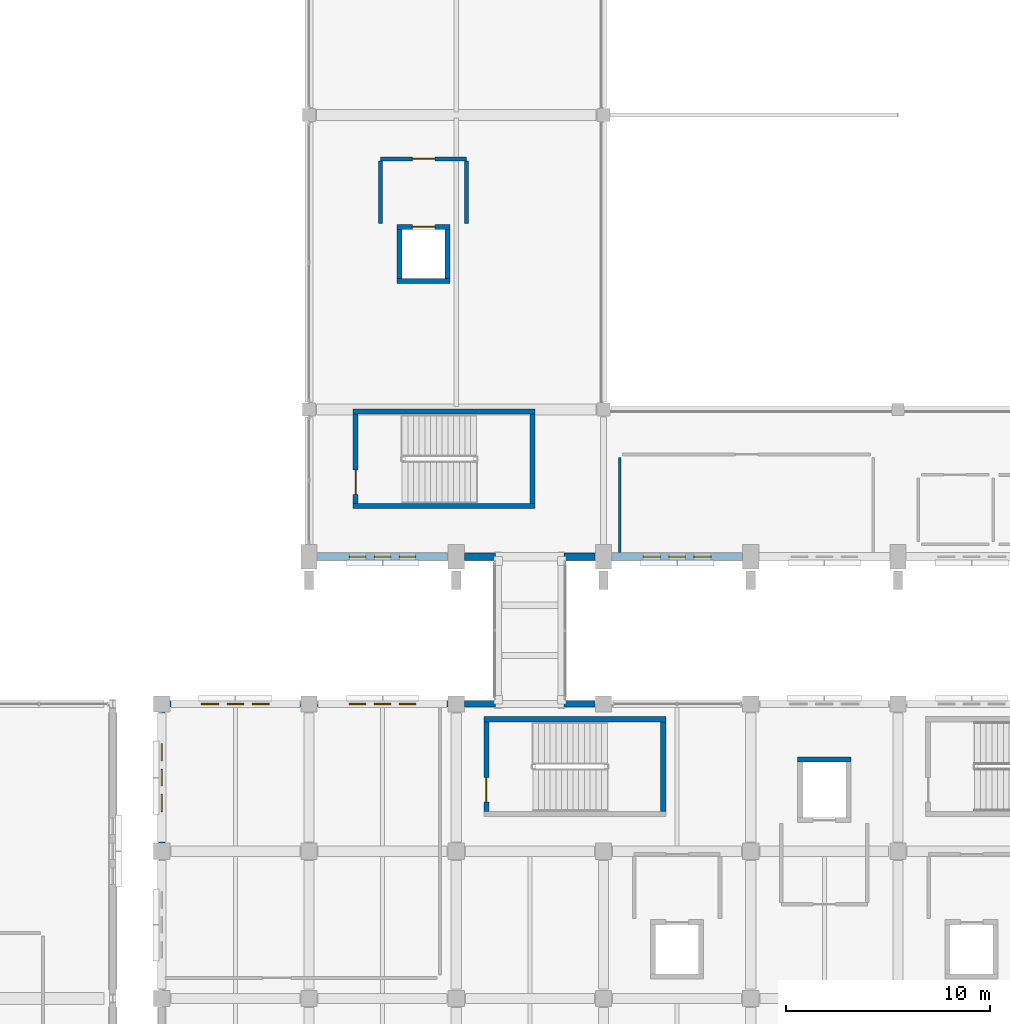
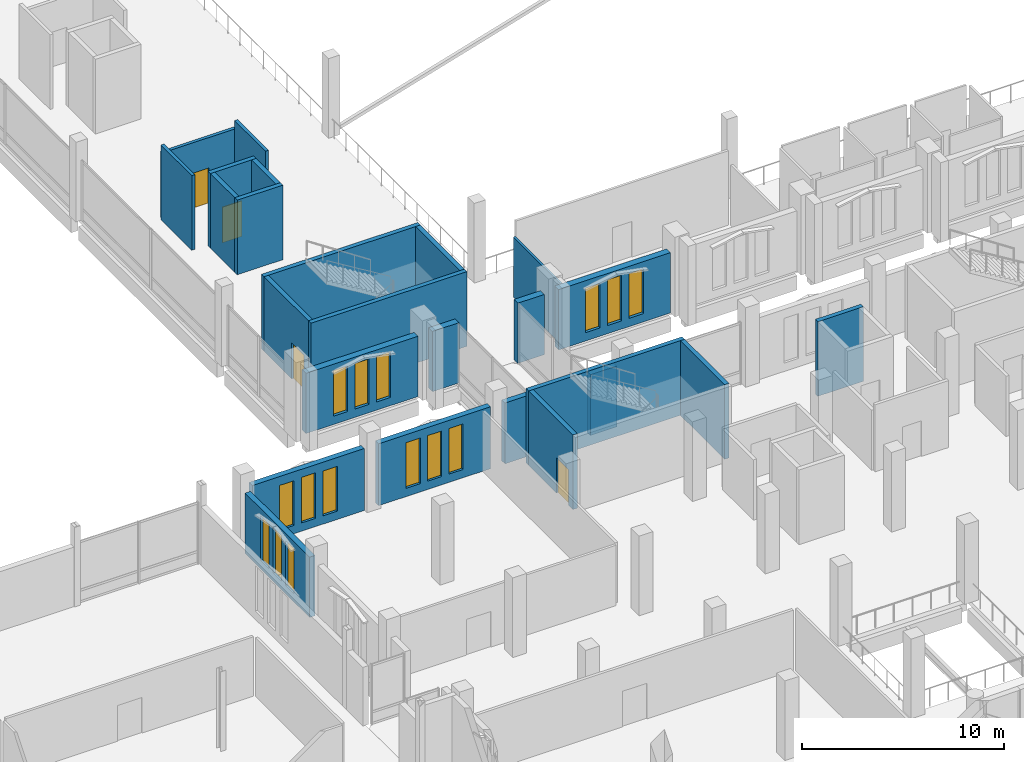
# One storey, part 160 of 220: 25 walls, 15 windows, 4 doors, 19 openings.
"""IFC4 building model written with IfcOpenShell, lengths in metres."""

from ifc_helpers import new_model, si_unit, direction, frame, frame_2d, origin, place, context, subcontext, project, spatial, rectangle, extrude, material, layer, layer_set, type_object, element, fill, save


model = new_model("IFC4")

# Units and contexts
model_context = context("Model", 3, precision=1e-05, world=origin(), true_north=direction((0.0, 1.0)))
body_context = subcontext(model_context, "Body", "Model", "MODEL_VIEW")
ifc_project = project(units=[si_unit("LENGTHUNIT", "METRE"), si_unit("AREAUNIT", "SQUARE_METRE"), si_unit("VOLUMEUNIT", "CUBIC_METRE"), si_unit("PLANEANGLEUNIT", "RADIAN"), si_unit("MASSUNIT", "GRAM", prefix="KILO")], contexts=[model_context])

# Site, building, storey
site_placement = place(None, origin())
site = spatial("IfcSite", under=ifc_project, at=site_placement, CompositionType="ELEMENT")
building_placement = place(site_placement, origin())
building = spatial("IfcBuilding", under=site, at=building_placement, Name="Cendralis Lancet Convention Centre", CompositionType="ELEMENT")
storey_placement = place(building_placement, frame((0.0, 0.0, 5.39990234375)))
storey = spatial("IfcBuildingStorey", under=building, at=storey_placement, Name="L01", CompositionType="ELEMENT", Elevation=5.39990234375)

# Wall, openings, windows
ifc_material_1 = material(Name="Buff sandstone ashlar and Concrete G40 (C40/50)", Category="masonry")
ifc_layer_1 = layer(ifc_material_1, 0.320068359375, Name="Buff sandstone ashlar and Concrete G40 (C40/50)")
ifc_layer_set_1 = layer_set([ifc_layer_1], Name="Buff sandstone ashlar and Concrete G40 (C40/50)")
wall_type_1 = type_object("IfcWallType", Name="ARC-EW-W320", PredefinedType="STANDARD", material=ifc_layer_set_1)
wall_1_placement = place(storey_placement, frame((132.407958984375, 36.0, 0.0), z_axis=(0.0, 0.0, 1.0), x_axis=(1.0, 0.0, 0.0)))
wall_1 = element("IfcWall", 1, at=wall_1_placement, inside=storey, type_object=wall_type_1, Name="L01 V5 Exterior Wall EW-06 #0264", PredefinedType="STANDARD", context=body_context, shape_type="SweptSolid", body=[
    extrude(rectangle(XDim=6.384033203125, YDim=0.320068359375, at=frame_2d((3.19189453125, 0.0))), origin(), (0.0, 0.0, 1.0), 3.735107421875),
])
opening_1_placement = place(wall_1_placement, frame((1.531982421875, 0.0, 0.5)))
opening_1 = element("IfcOpeningElement", 2, at=opening_1_placement, cuts=wall_1, Name="Opening WN-15", PredefinedType="OPENING", context=body_context, shape_type="SweptSolid", body=[
    extrude(rectangle(XDim=0.840087890625, YDim=2.699951171875, at=frame_2d((0.419921875, 1.35009765625))), frame((0.0, 0.169921875, 0.0), z_axis=(0.0, -1.0, 0.0), x_axis=(1.0, 0.0, 0.0)), (0.0, 0.0, 1.0), 0.340087890625),
])
opening_2_placement = place(wall_1_placement, frame((2.7919921875, 0.0, 0.5)))
opening_2 = element("IfcOpeningElement", 3, at=opening_2_placement, cuts=wall_1, Name="Opening WN-07", PredefinedType="OPENING", context=body_context, shape_type="SweptSolid", body=[
    extrude(rectangle(XDim=0.800048828125, YDim=2.75, at=frame_2d((0.39990234375, 1.375))), frame((0.0, 0.169921875, 0.0), z_axis=(0.0, -1.0, 0.0), x_axis=(1.0, 0.0, 0.0)), (0.0, 0.0, 1.0), 0.340087890625),
])
opening_3_placement = place(wall_1_placement, frame((4.011962890625, 0.0, 0.5)))
opening_3 = element("IfcOpeningElement", 4, at=opening_3_placement, cuts=wall_1, Name="Opening WN-15", PredefinedType="OPENING", context=body_context, shape_type="SweptSolid", body=[
    extrude(rectangle(XDim=0.840087890625, YDim=2.699951171875, at=frame_2d((0.419921875, 1.35009765625))), frame((0.0, 0.169921875, 0.0), z_axis=(0.0, -1.0, 0.0), x_axis=(1.0, 0.0, 0.0)), (0.0, 0.0, 1.0), 0.340087890625),
])
ifc_material_2 = material(Name="Double-glazed low-E solar-control glass", Category="glass")
window_type_1 = type_object("IfcWindowType", Name="ARC-WN-LW07", PartitioningType="SINGLE_PANEL", PredefinedType="WINDOW", material=ifc_material_2)
window_1_placement = place(opening_2_placement, origin())
window_1 = element("IfcWindow", 5, at=window_1_placement, inside=storey, type_object=window_type_1, Name="Gothic Lancet Window WN-07 #0503", OverallHeight=2.75, OverallWidth=0.800048828125, PartitioningType="SINGLE_PANEL", PredefinedType="WINDOW", context=body_context, shape_type="SweptSolid", body=[
    extrude(rectangle(XDim=0.800048828125, YDim=2.75, at=frame_2d((0.39990234375, 1.375))), frame((0.0, 0.030029296875, 0.0), z_axis=(0.0, -1.0, 0.0), x_axis=(1.0, 0.0, 0.0)), (0.0, 0.0, 1.0), 0.06005859375),
])
fill(opening_2, window_1)
window_type_2 = type_object("IfcWindowType", Name="ARC-WN-LW15", PartitioningType="SINGLE_PANEL", PredefinedType="WINDOW", material=ifc_material_2)
window_2_placement = place(opening_1_placement, origin())
window_2 = element("IfcWindow", 6, at=window_2_placement, inside=storey, type_object=window_type_2, Name="Gothic Lancet Window WN-15 #0502", OverallHeight=2.699951171875, OverallWidth=0.840087890625, PartitioningType="SINGLE_PANEL", PredefinedType="WINDOW", context=body_context, shape_type="SweptSolid", body=[
    extrude(rectangle(XDim=0.840087890625, YDim=2.699951171875, at=frame_2d((0.419921875, 1.35009765625))), frame((0.0, 0.030029296875, 0.0), z_axis=(0.0, -1.0, 0.0), x_axis=(1.0, 0.0, 0.0)), (0.0, 0.0, 1.0), 0.06005859375),
])
fill(opening_1, window_2)
window_3_placement = place(opening_3_placement, origin())
window_3 = element("IfcWindow", 7, at=window_3_placement, inside=storey, type_object=window_type_2, Name="Gothic Lancet Window WN-15 #0504", OverallHeight=2.699951171875, OverallWidth=0.840087890625, PartitioningType="SINGLE_PANEL", PredefinedType="WINDOW", context=body_context, shape_type="SweptSolid", body=[
    extrude(rectangle(XDim=0.840087890625, YDim=2.699951171875, at=frame_2d((0.419921875, 1.35009765625))), frame((0.0, 0.030029296875, 0.0), z_axis=(0.0, -1.0, 0.0), x_axis=(1.0, 0.0, 0.0)), (0.0, 0.0, 1.0), 0.06005859375),
])
fill(opening_3, window_3)

wall_2_placement = place(storey_placement, frame((139.60791015625, 36.0, 0.0), z_axis=(0.0, 0.0, 1.0), x_axis=(1.0, 0.0, 0.0)))
wall_2 = element("IfcWall", 8, at=wall_2_placement, inside=storey, type_object=wall_type_1, Name="L01 V5 Exterior Wall EW-06 #0265", PredefinedType="STANDARD", context=body_context, shape_type="SweptSolid", body=[
    extrude(rectangle(XDim=6.384033203125, YDim=0.320068359375, at=frame_2d((3.19189453125, 0.0))), origin(), (0.0, 0.0, 1.0), 3.735107421875),
])
opening_4_placement = place(wall_2_placement, frame((1.572021484375, 0.0, 0.5)))
opening_4 = element("IfcOpeningElement", 9, at=opening_4_placement, cuts=wall_2, Name="Opening WN-07", PredefinedType="OPENING", context=body_context, shape_type="SweptSolid", body=[
    extrude(rectangle(XDim=0.800048828125, YDim=2.75, at=frame_2d((0.39990234375, 1.375))), frame((0.0, 0.169921875, 0.0), z_axis=(0.0, -1.0, 0.0), x_axis=(1.0, 0.0, 0.0)), (0.0, 0.0, 1.0), 0.340087890625),
])
opening_5_placement = place(wall_2_placement, frame((2.7919921875, 0.0, 0.5)))
opening_5 = element("IfcOpeningElement", 10, at=opening_5_placement, cuts=wall_2, Name="Opening WN-07", PredefinedType="OPENING", context=body_context, shape_type="SweptSolid", body=[
    extrude(rectangle(XDim=0.800048828125, YDim=2.75, at=frame_2d((0.39990234375, 1.375))), frame((0.0, 0.169921875, 0.0), z_axis=(0.0, -1.0, 0.0), x_axis=(1.0, 0.0, 0.0)), (0.0, 0.0, 1.0), 0.340087890625),
])
opening_6_placement = place(wall_2_placement, frame((4.011962890625, 0.0, 0.5)))
opening_6 = element("IfcOpeningElement", 11, at=opening_6_placement, cuts=wall_2, Name="Opening WN-07", PredefinedType="OPENING", context=body_context, shape_type="SweptSolid", body=[
    extrude(rectangle(XDim=0.800048828125, YDim=2.75, at=frame_2d((0.39990234375, 1.375))), frame((0.0, 0.169921875, 0.0), z_axis=(0.0, -1.0, 0.0), x_axis=(1.0, 0.0, 0.0)), (0.0, 0.0, 1.0), 0.340087890625),
])
window_4_placement = place(opening_4_placement, origin())
window_4 = element("IfcWindow", 12, at=window_4_placement, inside=storey, type_object=window_type_1, Name="Gothic Lancet Window WN-07 #0505", OverallHeight=2.75, OverallWidth=0.800048828125, PartitioningType="SINGLE_PANEL", PredefinedType="WINDOW", context=body_context, shape_type="SweptSolid", body=[
    extrude(rectangle(XDim=0.800048828125, YDim=2.75, at=frame_2d((0.39990234375, 1.375))), frame((0.0, 0.030029296875, 0.0), z_axis=(0.0, -1.0, 0.0), x_axis=(1.0, 0.0, 0.0)), (0.0, 0.0, 1.0), 0.06005859375),
])
fill(opening_4, window_4)
window_5_placement = place(opening_5_placement, origin())
window_5 = element("IfcWindow", 13, at=window_5_placement, inside=storey, type_object=window_type_1, Name="Gothic Lancet Window WN-07 #0506", OverallHeight=2.75, OverallWidth=0.800048828125, PartitioningType="SINGLE_PANEL", PredefinedType="WINDOW", context=body_context, shape_type="SweptSolid", body=[
    extrude(rectangle(XDim=0.800048828125, YDim=2.75, at=frame_2d((0.39990234375, 1.375))), frame((0.0, 0.030029296875, 0.0), z_axis=(0.0, -1.0, 0.0), x_axis=(1.0, 0.0, 0.0)), (0.0, 0.0, 1.0), 0.06005859375),
])
fill(opening_5, window_5)
window_6_placement = place(opening_6_placement, origin())
window_6 = element("IfcWindow", 14, at=window_6_placement, inside=storey, type_object=window_type_1, Name="Gothic Lancet Window WN-07 #0507", OverallHeight=2.75, OverallWidth=0.800048828125, PartitioningType="SINGLE_PANEL", PredefinedType="WINDOW", context=body_context, shape_type="SweptSolid", body=[
    extrude(rectangle(XDim=0.800048828125, YDim=2.75, at=frame_2d((0.39990234375, 1.375))), frame((0.0, 0.030029296875, 0.0), z_axis=(0.0, -1.0, 0.0), x_axis=(1.0, 0.0, 0.0)), (0.0, 0.0, 1.0), 0.06005859375),
])
fill(opening_6, window_6)

# Walls
for number, where, z_axis, x_axis, name in (
    (15, (146.80810546875, 36.0, 0.0), (0.0, 0.0, 1.0), (1.0, 0.0, 0.0), "L01 V5 Exterior Wall EW-06 #0266"),
    (16, (151.679931640625, 36.0, 0.0), (0.0, 0.0, 1.0), (1.0, 0.0, 0.0), "L01 V5 Exterior Wall EW-06 #0267"),
):
    element("IfcWall", number, at=place(storey_placement, frame(where, z_axis=z_axis, x_axis=x_axis)), inside=storey, type_object=wall_type_1, Name=name, PredefinedType="STANDARD", context=body_context, shape_type="SweptSolid", body=[
        extrude(rectangle(XDim=1.511962890625, YDim=0.320068359375, at=frame_2d((0.755859375, 0.0))), origin(), (0.0, 0.0, 1.0), 3.6650390625),
    ])

# Wall, openings, windows
wall_3_placement = place(storey_placement, frame((132.0, 29.2080078125, 0.0), z_axis=(0.0, 0.0, 1.0), x_axis=(0.0, 1.0, 0.0)))
wall_3 = element("IfcWall", 17, at=wall_3_placement, inside=storey, type_object=wall_type_1, Name="L01 V5 Exterior Wall EW-06 #0282", PredefinedType="STANDARD", context=body_context, shape_type="SweptSolid", body=[
    extrude(rectangle(XDim=6.384033203125, YDim=0.320068359375, at=frame_2d((3.19189453125, 0.0))), origin(), (0.0, 0.0, 1.0), 3.635009765625),
])
opening_7_placement = place(wall_3_placement, frame((1.531982421875, 0.0, 0.5)))
opening_7 = element("IfcOpeningElement", 18, at=opening_7_placement, cuts=wall_3, Name="Opening WN-15", PredefinedType="OPENING", context=body_context, shape_type="SweptSolid", body=[
    extrude(rectangle(XDim=0.840087890625, YDim=2.699951171875, at=frame_2d((0.419921875, 1.35009765625))), frame((0.0, 0.169921875, 0.0), z_axis=(0.0, -1.0, 0.0), x_axis=(1.0, 0.0, 0.0)), (0.0, 0.0, 1.0), 0.340087890625),
])
opening_8_placement = place(wall_3_placement, frame((2.7919921875, 0.0, 0.5)))
opening_8 = element("IfcOpeningElement", 19, at=opening_8_placement, cuts=wall_3, Name="Opening WN-07", PredefinedType="OPENING", context=body_context, shape_type="SweptSolid", body=[
    extrude(rectangle(XDim=0.800048828125, YDim=2.75, at=frame_2d((0.39990234375, 1.375))), frame((0.0, 0.169921875, 0.0), z_axis=(0.0, -1.0, 0.0), x_axis=(1.0, 0.0, 0.0)), (0.0, 0.0, 1.0), 0.340087890625),
])
opening_9_placement = place(wall_3_placement, frame((4.011962890625, 0.0, 0.5)))
opening_9 = element("IfcOpeningElement", 20, at=opening_9_placement, cuts=wall_3, Name="Opening WN-15", PredefinedType="OPENING", context=body_context, shape_type="SweptSolid", body=[
    extrude(rectangle(XDim=0.840087890625, YDim=2.699951171875, at=frame_2d((0.419921875, 1.35009765625))), frame((0.0, 0.169921875, 0.0), z_axis=(0.0, -1.0, 0.0), x_axis=(1.0, 0.0, 0.0)), (0.0, 0.0, 1.0), 0.340087890625),
])
window_7_placement = place(opening_8_placement, origin())
window_7 = element("IfcWindow", 21, at=window_7_placement, inside=storey, type_object=window_type_1, Name="Gothic Lancet Window WN-07 #0542", OverallHeight=2.75, OverallWidth=0.800048828125, PartitioningType="SINGLE_PANEL", PredefinedType="WINDOW", context=body_context, shape_type="SweptSolid", body=[
    extrude(rectangle(XDim=0.800048828125, YDim=2.75, at=frame_2d((0.39990234375, 1.375))), frame((0.0, 0.030029296875, 0.0), z_axis=(0.0, -1.0, 0.0), x_axis=(1.0, 0.0, 0.0)), (0.0, 0.0, 1.0), 0.06005859375),
])
fill(opening_8, window_7)
window_8_placement = place(opening_7_placement, origin())
window_8 = element("IfcWindow", 22, at=window_8_placement, inside=storey, type_object=window_type_2, Name="Gothic Lancet Window WN-15 #0541", OverallHeight=2.699951171875, OverallWidth=0.840087890625, PartitioningType="SINGLE_PANEL", PredefinedType="WINDOW", context=body_context, shape_type="SweptSolid", body=[
    extrude(rectangle(XDim=0.840087890625, YDim=2.699951171875, at=frame_2d((0.419921875, 1.35009765625))), frame((0.0, 0.030029296875, 0.0), z_axis=(0.0, -1.0, 0.0), x_axis=(1.0, 0.0, 0.0)), (0.0, 0.0, 1.0), 0.06005859375),
])
fill(opening_7, window_8)
window_9_placement = place(opening_9_placement, origin())
window_9 = element("IfcWindow", 23, at=window_9_placement, inside=storey, type_object=window_type_2, Name="Gothic Lancet Window WN-15 #0543", OverallHeight=2.699951171875, OverallWidth=0.840087890625, PartitioningType="SINGLE_PANEL", PredefinedType="WINDOW", context=body_context, shape_type="SweptSolid", body=[
    extrude(rectangle(XDim=0.840087890625, YDim=2.699951171875, at=frame_2d((0.419921875, 1.35009765625))), frame((0.0, 0.030029296875, 0.0), z_axis=(0.0, -1.0, 0.0), x_axis=(1.0, 0.0, 0.0)), (0.0, 0.0, 1.0), 0.06005859375),
])
fill(opening_9, window_9)

ifc_layer_2 = layer(ifc_material_1, 0.3798828125, Name="Buff sandstone ashlar and Concrete G40 (C40/50)")
ifc_layer_set_2 = layer_set([ifc_layer_2], Name="Buff sandstone ashlar and Concrete G40 (C40/50)")
wall_type_2 = type_object("IfcWallType", Name="ARC-EW-W380", PredefinedType="STANDARD", material=ifc_layer_set_2)
wall_4_placement = place(storey_placement, frame((145.991943359375, 43.199951171875, 0.0), z_axis=(0.0, 0.0, 1.0), x_axis=(-1.0, 0.0, 0.0)))
wall_4 = element("IfcWall", 24, at=wall_4_placement, inside=storey, type_object=wall_type_2, Name="L01 V2 Exterior Wall EW-03 #0089", PredefinedType="STANDARD", context=body_context, shape_type="SweptSolid", body=[
    extrude(rectangle(XDim=6.384033203125, YDim=0.3798828125, at=frame_2d((3.19189453125, 0.0))), origin(), (0.0, 0.0, 1.0), 3.635009765625),
])
opening_10_placement = place(wall_4_placement, frame((1.572021484375, 0.0, 0.5)))
opening_10 = element("IfcOpeningElement", 25, at=opening_10_placement, cuts=wall_4, Name="Opening WN-07", PredefinedType="OPENING", context=body_context, shape_type="SweptSolid", body=[
    extrude(rectangle(XDim=0.800048828125, YDim=2.75, at=frame_2d((0.39990234375, 1.375))), frame((0.0, 0.199951171875, 0.0), z_axis=(0.0, -1.0, 0.0), x_axis=(1.0, 0.0, 0.0)), (0.0, 0.0, 1.0), 0.39990234375),
])
opening_11_placement = place(wall_4_placement, frame((2.7919921875, 0.0, 0.5)))
opening_11 = element("IfcOpeningElement", 26, at=opening_11_placement, cuts=wall_4, Name="Opening WN-07", PredefinedType="OPENING", context=body_context, shape_type="SweptSolid", body=[
    extrude(rectangle(XDim=0.800048828125, YDim=2.75, at=frame_2d((0.39990234375, 1.375))), frame((0.0, 0.199951171875, 0.0), z_axis=(0.0, -1.0, 0.0), x_axis=(1.0, 0.0, 0.0)), (0.0, 0.0, 1.0), 0.39990234375),
])
opening_12_placement = place(wall_4_placement, frame((4.011962890625, 0.0, 0.5)))
opening_12 = element("IfcOpeningElement", 27, at=opening_12_placement, cuts=wall_4, Name="Opening WN-07", PredefinedType="OPENING", context=body_context, shape_type="SweptSolid", body=[
    extrude(rectangle(XDim=0.800048828125, YDim=2.75, at=frame_2d((0.39990234375, 1.375))), frame((0.0, 0.199951171875, 0.0), z_axis=(0.0, -1.0, 0.0), x_axis=(1.0, 0.0, 0.0)), (0.0, 0.0, 1.0), 0.39990234375),
])
window_10_placement = place(opening_10_placement, origin())
window_10 = element("IfcWindow", 28, at=window_10_placement, inside=storey, type_object=window_type_1, Name="Gothic Lancet Window WN-07 #0150", OverallHeight=2.75, OverallWidth=0.800048828125, PartitioningType="SINGLE_PANEL", PredefinedType="WINDOW", context=body_context, shape_type="SweptSolid", body=[
    extrude(rectangle(XDim=0.800048828125, YDim=2.75, at=frame_2d((0.39990234375, 1.375))), frame((0.0, 0.030029296875, 0.0), z_axis=(0.0, -1.0, 0.0), x_axis=(1.0, 0.0, 0.0)), (0.0, 0.0, 1.0), 0.06005859375),
])
fill(opening_10, window_10)
window_11_placement = place(opening_11_placement, origin())
window_11 = element("IfcWindow", 29, at=window_11_placement, inside=storey, type_object=window_type_1, Name="Gothic Lancet Window WN-07 #0151", OverallHeight=2.75, OverallWidth=0.800048828125, PartitioningType="SINGLE_PANEL", PredefinedType="WINDOW", context=body_context, shape_type="SweptSolid", body=[
    extrude(rectangle(XDim=0.800048828125, YDim=2.75, at=frame_2d((0.39990234375, 1.375))), frame((0.0, 0.030029296875, 0.0), z_axis=(0.0, -1.0, 0.0), x_axis=(1.0, 0.0, 0.0)), (0.0, 0.0, 1.0), 0.06005859375),
])
fill(opening_11, window_11)
window_12_placement = place(opening_12_placement, origin())
window_12 = element("IfcWindow", 30, at=window_12_placement, inside=storey, type_object=window_type_1, Name="Gothic Lancet Window WN-07 #0152", OverallHeight=2.75, OverallWidth=0.800048828125, PartitioningType="SINGLE_PANEL", PredefinedType="WINDOW", context=body_context, shape_type="SweptSolid", body=[
    extrude(rectangle(XDim=0.800048828125, YDim=2.75, at=frame_2d((0.39990234375, 1.375))), frame((0.0, 0.030029296875, 0.0), z_axis=(0.0, -1.0, 0.0), x_axis=(1.0, 0.0, 0.0)), (0.0, 0.0, 1.0), 0.06005859375),
])
fill(opening_12, window_12)

# Walls
for number, where, z_axis, x_axis, name in (
    (31, (153.19189453125, 43.199951171875, 0.0), (0.0, 0.0, 1.0), (-1.0, 0.0, 0.0), "L01 V2 Exterior Wall EW-03 #0090"),
    (32, (148.320068359375, 43.199951171875, 0.0), (0.0, 0.0, 1.0), (-1.0, 0.0, 0.0), "L01 V2 Exterior Wall EW-03 #0091"),
):
    element("IfcWall", number, at=place(storey_placement, frame(where, z_axis=z_axis, x_axis=x_axis)), inside=storey, type_object=wall_type_2, Name=name, PredefinedType="STANDARD", context=body_context, shape_type="SweptSolid", body=[
        extrude(rectangle(XDim=1.511962890625, YDim=0.3798828125, at=frame_2d((0.755859375, 0.0))), origin(), (0.0, 0.0, 1.0), 3.635009765625),
    ])

# Wall, openings, windows
wall_5_placement = place(storey_placement, frame((160.39208984375, 43.199951171875, 0.0), z_axis=(0.0, 0.0, 1.0), x_axis=(-1.0, 0.0, 0.0)))
wall_5 = element("IfcWall", 33, at=wall_5_placement, inside=storey, type_object=wall_type_2, Name="L01 V2 Exterior Wall EW-03 #0092", PredefinedType="STANDARD", context=body_context, shape_type="SweptSolid", body=[
    extrude(rectangle(XDim=6.384033203125, YDim=0.3798828125, at=frame_2d((3.19189453125, 0.0))), origin(), (0.0, 0.0, 1.0), 3.635009765625),
])
opening_13_placement = place(wall_5_placement, frame((1.531982421875, 0.0, 0.5)))
opening_13 = element("IfcOpeningElement", 34, at=opening_13_placement, cuts=wall_5, Name="Opening WN-15", PredefinedType="OPENING", context=body_context, shape_type="SweptSolid", body=[
    extrude(rectangle(XDim=0.840087890625, YDim=2.699951171875, at=frame_2d((0.419921875, 1.35009765625))), frame((0.0, 0.199951171875, 0.0), z_axis=(0.0, -1.0, 0.0), x_axis=(1.0, 0.0, 0.0)), (0.0, 0.0, 1.0), 0.39990234375),
])
opening_14_placement = place(wall_5_placement, frame((2.7919921875, 0.0, 0.5)))
opening_14 = element("IfcOpeningElement", 35, at=opening_14_placement, cuts=wall_5, Name="Opening WN-07", PredefinedType="OPENING", context=body_context, shape_type="SweptSolid", body=[
    extrude(rectangle(XDim=0.800048828125, YDim=2.75, at=frame_2d((0.39990234375, 1.375))), frame((0.0, 0.199951171875, 0.0), z_axis=(0.0, -1.0, 0.0), x_axis=(1.0, 0.0, 0.0)), (0.0, 0.0, 1.0), 0.39990234375),
])
opening_15_placement = place(wall_5_placement, frame((4.011962890625, 0.0, 0.5)))
opening_15 = element("IfcOpeningElement", 36, at=opening_15_placement, cuts=wall_5, Name="Opening WN-15", PredefinedType="OPENING", context=body_context, shape_type="SweptSolid", body=[
    extrude(rectangle(XDim=0.840087890625, YDim=2.699951171875, at=frame_2d((0.419921875, 1.35009765625))), frame((0.0, 0.199951171875, 0.0), z_axis=(0.0, -1.0, 0.0), x_axis=(1.0, 0.0, 0.0)), (0.0, 0.0, 1.0), 0.39990234375),
])
window_13_placement = place(opening_14_placement, origin())
window_13 = element("IfcWindow", 37, at=window_13_placement, inside=storey, type_object=window_type_1, Name="Gothic Lancet Window WN-07 #0154", OverallHeight=2.75, OverallWidth=0.800048828125, PartitioningType="SINGLE_PANEL", PredefinedType="WINDOW", context=body_context, shape_type="SweptSolid", body=[
    extrude(rectangle(XDim=0.800048828125, YDim=2.75, at=frame_2d((0.39990234375, 1.375))), frame((0.0, 0.030029296875, 0.0), z_axis=(0.0, -1.0, 0.0), x_axis=(1.0, 0.0, 0.0)), (0.0, 0.0, 1.0), 0.06005859375),
])
fill(opening_14, window_13)
window_14_placement = place(opening_13_placement, origin())
window_14 = element("IfcWindow", 38, at=window_14_placement, inside=storey, type_object=window_type_2, Name="Gothic Lancet Window WN-15 #0153", OverallHeight=2.699951171875, OverallWidth=0.840087890625, PartitioningType="SINGLE_PANEL", PredefinedType="WINDOW", context=body_context, shape_type="SweptSolid", body=[
    extrude(rectangle(XDim=0.840087890625, YDim=2.699951171875, at=frame_2d((0.419921875, 1.35009765625))), frame((0.0, 0.030029296875, 0.0), z_axis=(0.0, -1.0, 0.0), x_axis=(1.0, 0.0, 0.0)), (0.0, 0.0, 1.0), 0.06005859375),
])
fill(opening_13, window_14)
window_15_placement = place(opening_15_placement, origin())
window_15 = element("IfcWindow", 39, at=window_15_placement, inside=storey, type_object=window_type_2, Name="Gothic Lancet Window WN-15 #0155", OverallHeight=2.699951171875, OverallWidth=0.840087890625, PartitioningType="SINGLE_PANEL", PredefinedType="WINDOW", context=body_context, shape_type="SweptSolid", body=[
    extrude(rectangle(XDim=0.840087890625, YDim=2.699951171875, at=frame_2d((0.419921875, 1.35009765625))), frame((0.0, 0.030029296875, 0.0), z_axis=(0.0, -1.0, 0.0), x_axis=(1.0, 0.0, 0.0)), (0.0, 0.0, 1.0), 0.06005859375),
])
fill(opening_15, window_15)

# Wall
ifc_material_3 = material(Name="Acoustic fire-rated gypsum board on steel studs", Category="steel")
ifc_layer_3 = layer(ifc_material_3, 0.1201171875, Name="Acoustic fire-rated gypsum board on steel studs")
ifc_layer_set_3 = layer_set([ifc_layer_3], Name="Acoustic fire-rated gypsum board on steel studs")
wall_type_3 = type_object("IfcWallType", Name="ARC-IW-P120", PredefinedType="PARTITIONING", material=ifc_layer_set_3)
wall_6_placement = place(storey_placement, frame((154.39990234375, 43.39990234375, 0.0), z_axis=(0.0, 0.0, 1.0), x_axis=(0.0, 1.0, 0.0)))
element("IfcWall", 40, at=wall_6_placement, inside=storey, type_object=wall_type_3, Name="L01 Interior Partition IW-05 #0080", PredefinedType="PARTITIONING", context=body_context, shape_type="SweptSolid", body=[
    extrude(rectangle(XDim=4.66015625, YDim=0.1201171875, at=frame_2d((2.330078125, 0.0))), origin(), (0.0, 0.0, 1.0), 3.635009765625),
])

# Wall, opening, door
ifc_layer_4 = layer(ifc_material_3, 0.179931640625, Name="Acoustic fire-rated gypsum board on steel studs")
ifc_layer_set_4 = layer_set([ifc_layer_4], Name="Acoustic fire-rated gypsum board on steel studs")
wall_type_4 = type_object("IfcWallType", Name="ARC-IW-P180", PredefinedType="PARTITIONING", material=ifc_layer_set_4)
wall_7_placement = place(storey_placement, frame((142.699951171875, 62.64990234375, 0.0), z_axis=(0.0, 0.0, 1.0), x_axis=(1.0, 0.0, 0.0)))
wall_7 = element("IfcWall", 41, at=wall_7_placement, inside=storey, type_object=wall_type_4, Name="L01 Lift Lobby LP-05 Front Wall", PredefinedType="PARTITIONING", context=body_context, shape_type="SweptSolid", body=[
    extrude(rectangle(XDim=4.199951171875, YDim=0.179931640625, at=frame_2d((2.10009765625, 0.0))), origin(), (0.0, 0.0, 1.0), 3.985107421875),
])
opening_16_placement = place(wall_7_placement, frame((1.550048828125, 0.0, 0.0)))
opening_16 = element("IfcOpeningElement", 42, at=opening_16_placement, cuts=wall_7, Name="Opening FD-11", PredefinedType="OPENING", context=body_context, shape_type="SweptSolid", body=[
    extrude(rectangle(XDim=1.10009765625, YDim=2.14990234375, at=frame_2d((0.550048828125, 1.074951171875))), frame((0.0, 0.099853515625, 0.0), z_axis=(0.0, -1.0, 0.0), x_axis=(1.0, 0.0, 0.0)), (0.0, 0.0, 1.0), 0.199951171875),
])
ifc_material_4 = material(Name="Steel S355", Category="steel")
door_type_1 = type_object("IfcDoorType", Name="ARC-DR-FF11", OperationType="NOTDEFINED", PredefinedType="DOOR", material=ifc_material_4)
door_1_placement = place(opening_16_placement, origin())
door_1 = element("IfcDoor", 43, at=door_1_placement, inside=storey, type_object=door_type_1, Name="L01-D064 L01 Lift Lobby LP-05 Fire Door", OperationType="SINGLE_SWING_LEFT", OverallHeight=2.14990234375, OverallWidth=1.10009765625, PredefinedType="DOOR", context=body_context, shape_type="SweptSolid", body=[
    extrude(rectangle(XDim=1.10009765625, YDim=2.14990234375, at=frame_2d((0.550048828125, 1.074951171875))), frame((0.0, 0.02490234375, 0.0), z_axis=(0.0, -1.0, 0.0), x_axis=(1.0, 0.0, 0.0)), (0.0, 0.0, 1.0), 0.050048828125),
])
fill(opening_16, door_1)

# Walls
for number, where, z_axis, x_axis, name in (
    (44, (142.699951171875, 59.5, 0.0), (0.0, 0.0, 1.0), (0.0, 1.0, 0.0), "L01 Lift Lobby LP-05 West Wall"),
    (45, (146.89990234375, 59.5, 0.0), (0.0, 0.0, 1.0), (0.0, 1.0, 0.0), "L01 Lift Lobby LP-05 East Wall"),
):
    element("IfcWall", number, at=place(storey_placement, frame(where, z_axis=z_axis, x_axis=x_axis)), inside=storey, type_object=wall_type_4, Name=name, PredefinedType="PARTITIONING", context=body_context, shape_type="SweptSolid", body=[
        extrude(rectangle(XDim=3.050048828125, YDim=0.179931640625, at=frame_2d((1.52490234375, 0.0))), origin(), (0.0, 0.0, 1.0), 4.5),
    ])

# Wall, opening, door
ifc_material_5 = material(Name="Concrete G40 (C40/50)", Category="concrete")
ifc_layer_5 = layer(ifc_material_5, 0.25, Name="Concrete G40 (C40/50)")
ifc_layer_set_5 = layer_set([ifc_layer_5], Name="Concrete G40 (C40/50)")
wall_type_5 = type_object("IfcWallType", Name="STR-SW-CW250", PredefinedType="SHEAR", material=ifc_layer_set_5)
wall_8_placement = place(storey_placement, frame((141.47509765625, 45.800048828125, 0.0), z_axis=(0.0, 0.0, 1.0), x_axis=(0.0, 1.0, 0.0)))
wall_8 = element("IfcWall", 46, at=wall_8_placement, inside=storey, type_object=wall_type_5, Name="L01 Stair Core ST-08 West Shear Wall", PredefinedType="SHEAR", context=body_context, shape_type="SweptSolid", body=[
    extrude(rectangle(XDim=4.3798828125, YDim=0.25, at=frame_2d((2.18994140625, 0.0))), origin(), (0.0, 0.0, 1.0), 4.5),
])
opening_17_placement = place(wall_8_placement, frame((0.449951171875, 0.0, 0.0)))
opening_17 = element("IfcOpeningElement", 47, at=opening_17_placement, cuts=wall_8, Name="Opening SD-12", PredefinedType="OPENING", context=body_context, shape_type="SweptSolid", body=[
    extrude(rectangle(XDim=1.199951171875, YDim=2.14990234375, at=frame_2d((0.60009765625, 1.074951171875))), frame((0.0, 0.135009765625, 0.0), z_axis=(0.0, -1.0, 0.0), x_axis=(1.0, 0.0, 0.0)), (0.0, 0.0, 1.0), 0.27001953125),
])
door_type_2 = type_object("IfcDoorType", Name="ARC-DR-ST12", OperationType="NOTDEFINED", PredefinedType="DOOR", material=ifc_material_4)
door_2_placement = place(opening_17_placement, frame((1.199951171875, 0.0, 0.0), z_axis=(0.0, 0.0, 1.0), x_axis=(-1.0, 0.0, 0.0)))
door_2 = element("IfcDoor", 48, at=door_2_placement, inside=storey, type_object=door_type_2, Name="L01-D075 L01 Exit Stair ST-08 Fire Door", OperationType="SINGLE_SWING_RIGHT", OverallHeight=2.14990234375, OverallWidth=1.199951171875, PredefinedType="DOOR", context=body_context, shape_type="SweptSolid", body=[
    extrude(rectangle(XDim=1.199951171875, YDim=2.14990234375, at=frame_2d((0.60009765625, 1.074951171875))), frame((0.0, 0.02490234375, 0.0), z_axis=(0.0, -1.0, 0.0), x_axis=(1.0, 0.0, 0.0)), (0.0, 0.0, 1.0), 0.050048828125),
])
fill(opening_17, door_2)

# Walls
wall_9_placement = place(storey_placement, frame((150.125, 45.800048828125, 0.0), z_axis=(0.0, 0.0, 1.0), x_axis=(0.0, 1.0, 0.0)))
element("IfcWall", 49, at=wall_9_placement, inside=storey, type_object=wall_type_5, Name="L01 Stair Core ST-08 East Shear Wall", PredefinedType="SHEAR", context=body_context, shape_type="SweptSolid", body=[
    extrude(rectangle(XDim=4.3798828125, YDim=0.25, at=frame_2d((2.18994140625, 0.0))), origin(), (0.0, 0.0, 1.0), 4.5),
])
for number, where, z_axis, x_axis, name in (
    (50, (141.35009765625, 45.675048828125, 0.0), (0.0, 0.0, 1.0), (1.0, 0.0, 0.0), "L01 Stair Core ST-08 South Shear Wall"),
    (51, (141.35009765625, 50.304931640625, 0.0), (0.0, 0.0, 1.0), (1.0, 0.0, 0.0), "L01 Stair Core ST-08 North Shear Wall"),
):
    element("IfcWall", number, at=place(storey_placement, frame(where, z_axis=z_axis, x_axis=x_axis)), inside=storey, type_object=wall_type_5, Name=name, PredefinedType="SHEAR", context=body_context, shape_type="SweptSolid", body=[
        extrude(rectangle(XDim=8.89990234375, YDim=0.25, at=frame_2d((4.449951171875, 0.0))), origin(), (0.0, 0.0, 1.0), 4.5),
    ])

# Wall, opening, door
wall_10_placement = place(storey_placement, frame((147.875, 30.75, 0.0), z_axis=(0.0, 0.0, 1.0), x_axis=(0.0, 1.0, 0.0)))
wall_10 = element("IfcWall", 52, at=wall_10_placement, inside=storey, type_object=wall_type_5, Name="L01 Stair Core ST-13 West Shear Wall", PredefinedType="SHEAR", context=body_context, shape_type="SweptSolid", body=[
    extrude(rectangle(XDim=4.3798828125, YDim=0.25, at=frame_2d((2.18994140625, 0.0))), origin(), (0.0, 0.0, 1.0), 4.5),
])
opening_18_placement = place(wall_10_placement, frame((0.449951171875, 0.0, 0.0)))
opening_18 = element("IfcOpeningElement", 53, at=opening_18_placement, cuts=wall_10, Name="Opening SD-12", PredefinedType="OPENING", context=body_context, shape_type="SweptSolid", body=[
    extrude(rectangle(XDim=1.199951171875, YDim=2.14990234375, at=frame_2d((0.60009765625, 1.074951171875))), frame((0.0, 0.135009765625, 0.0), z_axis=(0.0, -1.0, 0.0), x_axis=(1.0, 0.0, 0.0)), (0.0, 0.0, 1.0), 0.27001953125),
])
door_3_placement = place(opening_18_placement, frame((1.199951171875, 0.0, 0.0), z_axis=(0.0, 0.0, 1.0), x_axis=(-1.0, 0.0, 0.0)))
door_3 = element("IfcDoor", 54, at=door_3_placement, inside=storey, type_object=door_type_2, Name="L01-D080 L01 Exit Stair ST-13 Fire Door", OperationType="SINGLE_SWING_RIGHT", OverallHeight=2.14990234375, OverallWidth=1.199951171875, PredefinedType="DOOR", context=body_context, shape_type="SweptSolid", body=[
    extrude(rectangle(XDim=1.199951171875, YDim=2.14990234375, at=frame_2d((0.60009765625, 1.074951171875))), frame((0.0, 0.02490234375, 0.0), z_axis=(0.0, -1.0, 0.0), x_axis=(1.0, 0.0, 0.0)), (0.0, 0.0, 1.0), 0.050048828125),
])
fill(opening_18, door_3)

# Walls
wall_11_placement = place(storey_placement, frame((156.52490234375, 30.75, 0.0), z_axis=(0.0, 0.0, 1.0), x_axis=(0.0, 1.0, 0.0)))
element("IfcWall", 55, at=wall_11_placement, inside=storey, type_object=wall_type_5, Name="L01 Stair Core ST-13 East Shear Wall", PredefinedType="SHEAR", context=body_context, shape_type="SweptSolid", body=[
    extrude(rectangle(XDim=4.3798828125, YDim=0.25, at=frame_2d((2.18994140625, 0.0))), origin(), (0.0, 0.0, 1.0), 4.5),
])
wall_12_placement = place(storey_placement, frame((147.75, 35.2548828125, 0.0), z_axis=(0.0, 0.0, 1.0), x_axis=(1.0, 0.0, 0.0)))
element("IfcWall", 56, at=wall_12_placement, inside=storey, type_object=wall_type_5, Name="L01 Stair Core ST-13 North Shear Wall", PredefinedType="SHEAR", context=body_context, shape_type="SweptSolid", body=[
    extrude(rectangle(XDim=8.89990234375, YDim=0.25, at=frame_2d((4.449951171875, 0.0))), origin(), (0.0, 0.0, 1.0), 4.5),
])
wall_13_placement = place(storey_placement, frame((163.10009765625, 33.27490234375, 0.0), z_axis=(0.0, 0.0, 1.0), x_axis=(1.0, 0.0, 0.0)))
element("IfcWall", 57, at=wall_13_placement, inside=storey, type_object=wall_type_5, Name="L01 Lift LF-01 North Shaft Wall", PredefinedType="SHEAR", context=body_context, shape_type="SweptSolid", body=[
    extrude(rectangle(XDim=2.599853515625, YDim=0.25, at=frame_2d((1.2998046875, 0.0))), origin(), (0.0, 0.0, 1.0), 4.5),
])
wall_14_placement = place(storey_placement, frame((143.5, 56.675048828125, 0.0), z_axis=(0.0, 0.0, 1.0), x_axis=(1.0, 0.0, 0.0)))
element("IfcWall", 58, at=wall_14_placement, inside=storey, type_object=wall_type_5, Name="L01 Lift LP-05 South Shaft Wall", PredefinedType="SHEAR", context=body_context, shape_type="SweptSolid", body=[
    extrude(rectangle(XDim=2.60009765625, YDim=0.25, at=frame_2d((1.300048828125, 0.0))), origin(), (0.0, 0.0, 1.0), 4.5),
])

# Wall, opening, door
wall_15_placement = place(storey_placement, frame((143.5, 59.324951171875, 0.0), z_axis=(0.0, 0.0, 1.0), x_axis=(1.0, 0.0, 0.0)))
wall_15 = element("IfcWall", 59, at=wall_15_placement, inside=storey, type_object=wall_type_5, Name="L01 Lift LP-05 North Shaft Wall", PredefinedType="SHEAR", context=body_context, shape_type="SweptSolid", body=[
    extrude(rectangle(XDim=2.60009765625, YDim=0.25, at=frame_2d((1.300048828125, 0.0))), origin(), (0.0, 0.0, 1.0), 4.5),
])
opening_19_placement = place(wall_15_placement, frame((0.75, 0.0, 0.0)))
opening_19 = element("IfcOpeningElement", 60, at=opening_19_placement, cuts=wall_15, Name="Opening LD-11", PredefinedType="OPENING", context=body_context, shape_type="SweptSolid", body=[
    extrude(rectangle(XDim=1.10009765625, YDim=2.14990234375, at=frame_2d((0.550048828125, 1.074951171875))), frame((0.0, 0.135009765625, 0.0), z_axis=(0.0, -1.0, 0.0), x_axis=(1.0, 0.0, 0.0)), (0.0, 0.0, 1.0), 0.27001953125),
])
ifc_material_6 = material(Name="Anodised bronze architectural aluminium", Category="aluminium")
door_type_3 = type_object("IfcDoorType", Name="ARC-DR-LD11", OperationType="NOTDEFINED", PredefinedType="DOOR", material=ifc_material_6)
door_4_placement = place(opening_19_placement, origin())
door_4 = element("IfcDoor", 61, at=door_4_placement, inside=storey, type_object=door_type_3, Name="L01-D050 L01 Lift LP-05 Sliding Landing Door", OperationType="SLIDING_TO_LEFT", OverallHeight=2.14990234375, OverallWidth=1.10009765625, PredefinedType="DOOR", context=body_context, shape_type="SweptSolid", body=[
    extrude(rectangle(XDim=1.10009765625, YDim=2.14990234375, at=frame_2d((0.550048828125, 1.074951171875))), frame((0.0, 0.02490234375, 0.0), z_axis=(0.0, -1.0, 0.0), x_axis=(1.0, 0.0, 0.0)), (0.0, 0.0, 1.0), 0.050048828125),
])
fill(opening_19, door_4)

# Walls
for number, where, z_axis, x_axis, name in (
    (62, (143.625, 56.800048828125, 0.0), (0.0, 0.0, 1.0), (0.0, 1.0, 0.0), "L01 Lift LP-05 West Shaft Wall"),
    (63, (145.97509765625, 56.800048828125, 0.0), (0.0, 0.0, 1.0), (0.0, 1.0, 0.0), "L01 Lift LP-05 East Shaft Wall"),
):
    element("IfcWall", number, at=place(storey_placement, frame(where, z_axis=z_axis, x_axis=x_axis)), inside=storey, type_object=wall_type_5, Name=name, PredefinedType="SHEAR", context=body_context, shape_type="SweptSolid", body=[
        extrude(rectangle(XDim=2.39990234375, YDim=0.25, at=frame_2d((1.199951171875, 0.0))), origin(), (0.0, 0.0, 1.0), 4.5),
    ])

save(model, "model.ifc")
